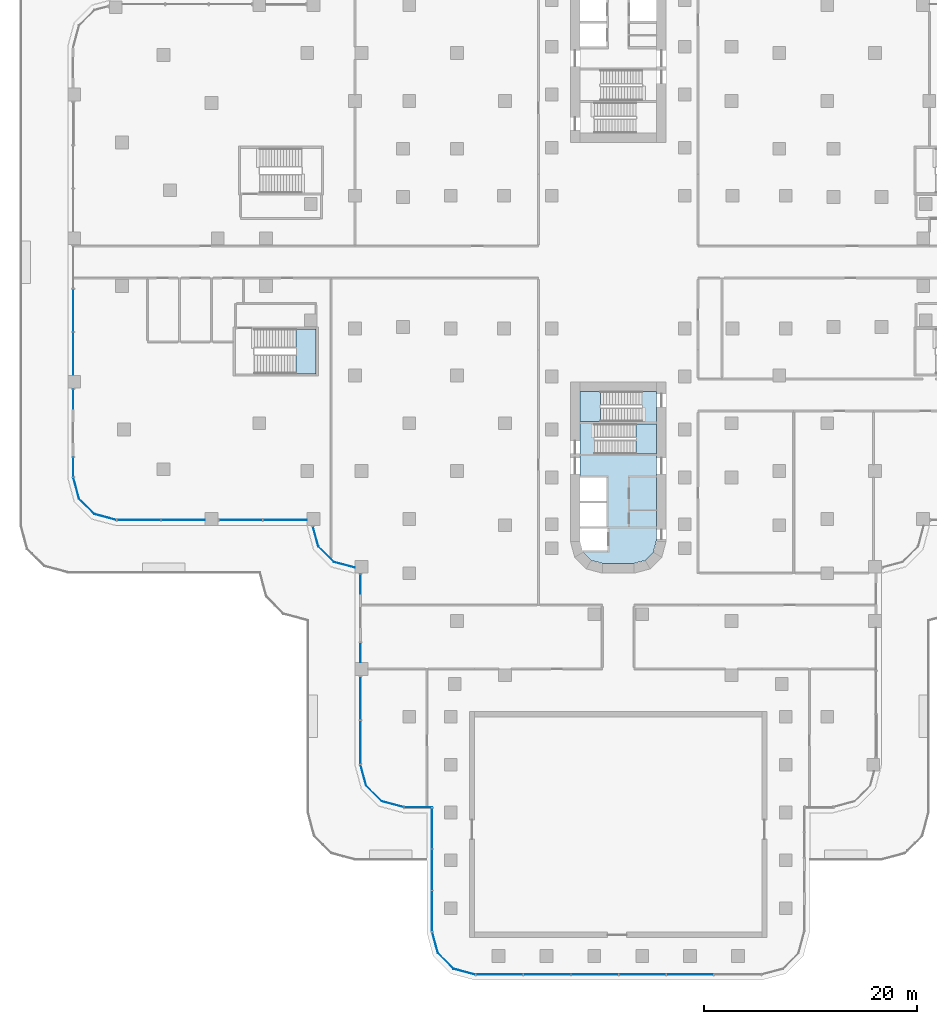
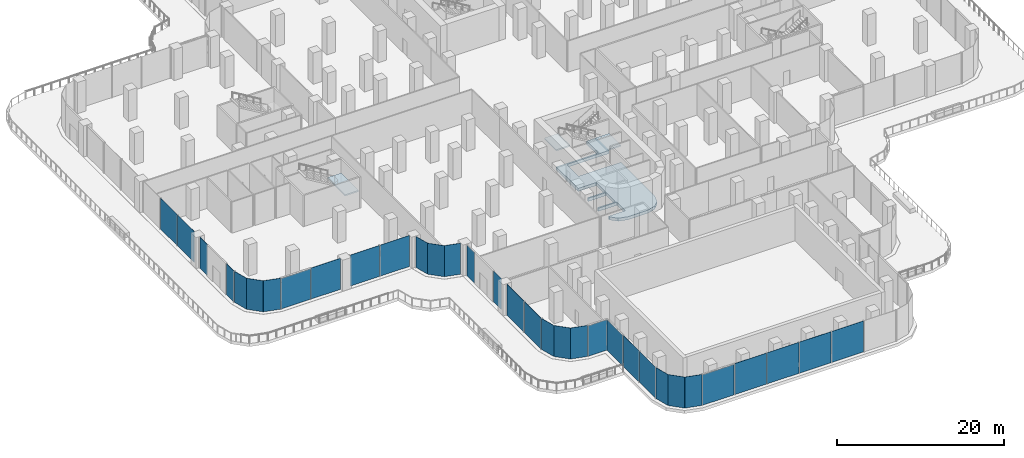
# One storey, part 10 of 30: 33 plates, 4 slabs, 21 elements without a shape of their own.
"""IFC4 building model written with IfcOpenShell, lengths in metres."""

from ifc_helpers import new_model, si_unit, direction, frame, origin, place, context, subcontext, project, spatial, polyline, outline, extrude, source, transform, mapped, material, layer, layer_set, type_object, element, aggregate, save


model = new_model("IFC4")

# Units and contexts
model_context = context("Model", 3, precision=1e-05, world=origin(), true_north=direction((0.0, 1.0)))
body_context = subcontext(model_context, "Body", "Model", "MODEL_VIEW")
ifc_project = project(units=[si_unit("LENGTHUNIT", "METRE"), si_unit("AREAUNIT", "SQUARE_METRE"), si_unit("VOLUMEUNIT", "CUBIC_METRE"), si_unit("PLANEANGLEUNIT", "RADIAN"), si_unit("MASSUNIT", "GRAM", prefix="KILO")], contexts=[model_context])

# Site, building, storey
site_placement = place(None, origin())
site = spatial("IfcSite", under=ifc_project, at=site_placement, CompositionType="ELEMENT")
building_placement = place(site_placement, origin())
building = spatial("IfcBuilding", under=site, at=building_placement, Name="Zarbagh Exchange Tower", CompositionType="ELEMENT")
storey_placement = place(building_placement, frame((0.0, 0.0, 7.0)))
storey = spatial("IfcBuildingStorey", under=building, at=storey_placement, Name="L01", CompositionType="ELEMENT", Elevation=7.0)

# Slab
ifc_material_1 = material(Name="Concrete C50/60", Category="concrete")
ifc_layer_1 = layer(ifc_material_1, 0.449951171875)
ifc_layer_set_1 = layer_set([ifc_layer_1], Name="Core floor slab 450 C50/60")
slab_type_1 = type_object("IfcSlabType", Name="Core floor slab 450 C50/60", PredefinedType="FLOOR", material=ifc_layer_set_1)
slab_1_placement = place(storey_placement, frame((0.0, 0.0, -0.449951171875)))
element("IfcSlab", 1, at=slab_1_placement, inside=storey, type_object=slab_type_1, Name="S16 core S", PredefinedType="FLOOR", context=body_context, shape_type="SweptSolid", body=[
    extrude(outline(polyline([(-2.5341796875, -28.041259765625), (-3.291259765625, -27.2841796875), (-3.340576171875, -27.10009765625), (-1.0, -27.10009765625), (-1.0, -25.050048828125), (-3.60009765625, -25.050048828125), (-3.60009765625, -24.85009765625), (-1.10009765625, -24.85009765625), (-1.10009765625, -22.64990234375), (-3.60009765625, -22.64990234375), (-3.60009765625, -22.449951171875), (-1.10009765625, -22.449951171875), (-1.10009765625, -20.25), (-3.60009765625, -20.25), (-3.60009765625, -15.0), (2.25, -15.0), (2.25, -12.14990234375), (3.60009765625, -12.14990234375), (3.60009765625, -15.199951171875), (-2.25, -15.199951171875), (-2.25, -18.050048828125), (3.60009765625, -18.050048828125), (3.60009765625, -26.131591796875), (3.291259765625, -27.2841796875), (2.5341796875, -28.041259765625), (1.381591796875, -28.35009765625), (-1.381591796875, -28.35009765625), (-2.5341796875, -28.041259765625)])), origin(), (0.0, 0.0, 1.0), 0.449951171875),
])

# Stair, slab
ifc_material_2 = material(Name="Concrete C40/50", Category="concrete")
stair_type = type_object("IfcStairType", Name="Exit stair two-flight half-turn", PredefinedType="HALF_TURN_STAIR", material=ifc_material_2)
stair_1_placement = place(storey_placement, origin())
stair_1 = element("IfcStair", 2, at=stair_1_placement, inside=storey, type_object=stair_type, Name="exit stair ST3", PredefinedType="HALF_TURN_STAIR")
ifc_layer_2 = layer(ifc_material_2, 0.199951171875)
ifc_layer_set_2 = layer_set([ifc_layer_2], Name="Stair landing 200 mm")
slab_type_2 = type_object("IfcSlabType", Name="Stair landing 200 mm", PredefinedType="LANDING", material=ifc_layer_set_2)
slab_2_placement = place(storey_placement, frame((0.0, 0.0, 2.300048828125)))
slab_2 = element("IfcSlab", 3, at=slab_2_placement, type_object=slab_type_2, Name="ST3 landing 1", PredefinedType="LANDING", context=body_context, shape_type="SweptSolid", body=[
    extrude(outline(polyline([(1.669921875, -18.050048828125), (3.60009765625, -18.050048828125), (3.60009765625, -15.199951171875), (1.669921875, -15.199951171875), (1.669921875, -18.050048828125)])), origin(), (0.0, 0.0, 1.0), 0.199951171875),
])
aggregate(stair_1, [slab_2])

stair_2_placement = place(storey_placement, origin())
stair_2 = element("IfcStair", 4, at=stair_2_placement, inside=storey, type_object=stair_type, Name="exit stair ST4", PredefinedType="HALF_TURN_STAIR")
slab_3_placement = place(storey_placement, frame((0.0, 0.0, 2.300048828125)))
slab_3 = element("IfcSlab", 5, at=slab_3_placement, type_object=slab_type_2, Name="ST4 landing 1", PredefinedType="LANDING", context=body_context, shape_type="SweptSolid", body=[
    extrude(outline(polyline([(-1.669921875, -12.14990234375), (-3.60009765625, -12.14990234375), (-3.60009765625, -15.0), (-1.669921875, -15.0), (-1.669921875, -12.14990234375)])), origin(), (0.0, 0.0, 1.0), 0.199951171875),
])
aggregate(stair_2, [slab_3])

stair_3_placement = place(storey_placement, origin())
stair_3 = element("IfcStair", 6, at=stair_3_placement, inside=storey, type_object=stair_type, Name="exit stair PS4", PredefinedType="HALF_TURN_STAIR")
slab_4_placement = place(storey_placement, frame((0.0, 0.0, 2.300048828125)))
slab_4 = element("IfcSlab", 7, at=slab_4_placement, type_object=slab_type_2, Name="PS4 landing 1", PredefinedType="LANDING", context=body_context, shape_type="SweptSolid", body=[
    extrude(outline(polyline([(-30.280029296875, -10.5), (-28.39990234375, -10.5), (-28.39990234375, -6.300048828125), (-30.280029296875, -6.300048828125), (-30.280029296875, -10.5)])), origin(), (0.0, 0.0, 1.0), 0.199951171875),
])
aggregate(stair_3, [slab_4])

# Curtain wall, plate
ifc_material_3 = material(Name="Anodised aluminium frame and glazing", Category="aluminium")
curtain_wall_type_1 = type_object("IfcCurtainWallType", Name="CWD Exchange hall wall glazing", PredefinedType="NOTDEFINED", material=ifc_material_3)
curtain_wall_1_placement = place(storey_placement, origin())
curtain_wall_1 = element("IfcCurtainWall", 8, at=curtain_wall_1_placement, inside=storey, type_object=curtain_wall_type_1, Name="CWD06 curtain wall", PredefinedType="NOTDEFINED")
ifc_material_4 = material(Name="Low-e double glazed unit, 6+12+6 mm")
ifc_layer_3 = layer(ifc_material_4, 0.035888671875)
ifc_layer_set_3 = layer_set([ifc_layer_3], Name="PAD Glazing panel, Low-e double glazed unit, 6+12+6 mm")
plate_type_1 = type_object("IfcPlateType", Name="PAD Glazing panel, Low-e double glazed unit, 6+12+6 mm", PredefinedType="CURTAIN_PANEL", material=ifc_layer_set_3)
shared_shape_1 = source(origin(), body_context, "Body", "SweptSolid", [
    extrude(outline(polyline([(0.0, -0.01806640625), (2.049560546875, -0.01806640625), (2.049560546875, 0.01806640625), (0.0, 0.01806640625), (0.0, -0.01806640625)])), origin(), (0.0, 0.0, 1.0), 4.550048828125),
])
placement = place(storey_placement, origin())
plate_1 = element("IfcPlate", 9, at=placement, type_object=plate_type_1, Name="CWD06 glazing panel 1.1", PredefinedType="CURTAIN_PANEL", context=body_context, shape_type="MappedRepresentation", body=[
    mapped(shared_shape_1, transform((-17.479248046875, -63.011474609375, 0.0), x_axis=(0.258824779902, -0.965924289636, 0.0), y_axis=(0.965924289636, 0.258824779902, 0.0), z_axis=(0.0, 0.0, 1.0))),
])
aggregate(curtain_wall_1, [plate_1])

curtain_wall_2_placement = place(storey_placement, origin())
curtain_wall_2 = element("IfcCurtainWall", 10, at=curtain_wall_2_placement, inside=storey, type_object=curtain_wall_type_1, Name="CWD07 curtain wall", PredefinedType="NOTDEFINED")
shared_shape_2 = source(origin(), body_context, "Body", "SweptSolid", [
    extrude(outline(polyline([(0.0, -0.01806640625), (2.061279296875, -0.01806640625), (2.061279296875, 0.01806640625), (0.0, 0.01806640625), (0.0, -0.01806640625)])), origin(), (0.0, 0.0, 1.0), 4.550048828125),
])
plate_2 = element("IfcPlate", 11, at=placement, type_object=plate_type_1, Name="CWD07 glazing panel 1.1", PredefinedType="CURTAIN_PANEL", context=body_context, shape_type="MappedRepresentation", body=[
    mapped(shared_shape_2, transform((-16.94873046875, -64.9912109375, 0.0), x_axis=(0.707106781187, -0.707106781187, 0.0), y_axis=(0.707106781187, 0.707106781187, 0.0), z_axis=(0.0, 0.0, 1.0))),
])
aggregate(curtain_wall_2, [plate_2])

curtain_wall_3_placement = place(storey_placement, origin())
curtain_wall_3 = element("IfcCurtainWall", 12, at=curtain_wall_3_placement, inside=storey, type_object=curtain_wall_type_1, Name="CWD08 curtain wall", PredefinedType="NOTDEFINED")
shared_shape_3 = source(origin(), body_context, "Body", "SweptSolid", [
    extrude(outline(polyline([(0.0, -0.01806640625), (2.129638671875, -0.01806640625), (2.129638671875, 0.01806640625), (0.0, 0.01806640625), (0.0, -0.01806640625)])), origin(), (0.0, 0.0, 1.0), 4.550048828125),
])
plate_3 = element("IfcPlate", 13, at=placement, type_object=plate_type_1, Name="CWD08 glazing panel 1.1", PredefinedType="CURTAIN_PANEL", context=body_context, shape_type="MappedRepresentation", body=[
    mapped(shared_shape_3, transform((-15.4912109375, -66.44873046875, 0.0), x_axis=(0.965924289636, -0.258824779902, 0.0), y_axis=(0.258824779902, 0.965924289636, 0.0), z_axis=(0.0, 0.0, 1.0))),
])
aggregate(curtain_wall_3, [plate_3])

curtain_wall_type_2 = type_object("IfcCurtainWallType", Name="CWC Podium garden-wall glazing", PredefinedType="NOTDEFINED", material=ifc_material_3)
curtain_wall_4_placement = place(storey_placement, origin())
curtain_wall_4 = element("IfcCurtainWall", 14, at=curtain_wall_4_placement, inside=storey, type_object=curtain_wall_type_2, Name="CWC98 curtain wall", PredefinedType="NOTDEFINED")
ifc_layer_4 = layer(ifc_material_4, 0.031982421875)
ifc_layer_set_4 = layer_set([ifc_layer_4], Name="PAC Glazing panel, Low-e double glazed unit, 6+12+6 mm")
plate_type_2 = type_object("IfcPlateType", Name="PAC Glazing panel, Low-e double glazed unit, 6+12+6 mm", PredefinedType="CURTAIN_PANEL", material=ifc_layer_set_4)
shared_shape_4 = source(origin(), body_context, "Body", "SweptSolid", [
    extrude(outline(polyline([(0.0, -0.01611328125), (2.604248046875, -0.01611328125), (2.604248046875, 0.01611328125), (0.0, 0.01611328125), (0.0, -0.01611328125)])), origin(), (0.0, 0.0, 1.0), 4.469970703125),
])
plate_4 = element("IfcPlate", 15, at=placement, type_object=plate_type_2, Name="CWC98 glazing panel 1.1", PredefinedType="CURTAIN_PANEL", context=body_context, shape_type="MappedRepresentation", body=[
    mapped(shared_shape_4, transform((-20.104248046875, -51.25, 0.0), x_axis=(1.0, 0.0, 0.0), y_axis=(0.0, 1.0, 0.0), z_axis=(0.0, 0.0, 1.0))),
])
aggregate(curtain_wall_4, [plate_4])

curtain_wall_5_placement = place(storey_placement, origin())
curtain_wall_5 = element("IfcCurtainWall", 16, at=curtain_wall_5_placement, inside=storey, type_object=curtain_wall_type_2, Name="CWC87 curtain wall", PredefinedType="NOTDEFINED")
shared_shape_5 = source(origin(), body_context, "Body", "SweptSolid", [
    extrude(outline(polyline([(0.0, -0.01611328125), (2.049560546875, -0.01611328125), (2.049560546875, 0.01611328125), (0.0, 0.01611328125), (0.0, -0.01611328125)])), origin(), (0.0, 0.0, 1.0), 4.550048828125),
])
plate_5 = element("IfcPlate", 17, at=placement, type_object=plate_type_2, Name="CWC87 glazing panel 1.1", PredefinedType="CURTAIN_PANEL", context=body_context, shape_type="MappedRepresentation", body=[
    mapped(shared_shape_5, transform((-51.229248046875, -20.261474609375, 0.0), x_axis=(0.258824779902, -0.965924289636, 0.0), y_axis=(0.965924289636, 0.258824779902, 0.0), z_axis=(0.0, 0.0, 1.0))),
])
aggregate(curtain_wall_5, [plate_5])

curtain_wall_6_placement = place(storey_placement, origin())
curtain_wall_6 = element("IfcCurtainWall", 18, at=curtain_wall_6_placement, inside=storey, type_object=curtain_wall_type_2, Name="CWC95 curtain wall", PredefinedType="NOTDEFINED")
plate_6 = element("IfcPlate", 19, at=placement, type_object=plate_type_2, Name="CWC95 glazing panel 1.1", PredefinedType="CURTAIN_PANEL", context=body_context, shape_type="MappedRepresentation", body=[
    mapped(shared_shape_5, transform((-24.229248046875, -47.261474609375, 0.0), x_axis=(0.258824779902, -0.965924289636, 0.0), y_axis=(0.965924289636, 0.258824779902, 0.0), z_axis=(0.0, 0.0, 1.0))),
])
aggregate(curtain_wall_6, [plate_6])

curtain_wall_7_placement = place(storey_placement, origin())
curtain_wall_7 = element("IfcCurtainWall", 20, at=curtain_wall_7_placement, inside=storey, type_object=curtain_wall_type_2, Name="CWC88 curtain wall", PredefinedType="NOTDEFINED")
shared_shape_6 = source(origin(), body_context, "Body", "SweptSolid", [
    extrude(outline(polyline([(0.0, -0.01611328125), (2.061279296875, -0.01611328125), (2.061279296875, 0.01611328125), (0.0, 0.01611328125), (0.0, -0.01611328125)])), origin(), (0.0, 0.0, 1.0), 4.550048828125),
])
plate_7 = element("IfcPlate", 21, at=placement, type_object=plate_type_2, Name="CWC88 glazing panel 1.1", PredefinedType="CURTAIN_PANEL", context=body_context, shape_type="MappedRepresentation", body=[
    mapped(shared_shape_6, transform((-50.69873046875, -22.2412109375, 0.0), x_axis=(0.707106781187, -0.707106781187, 0.0), y_axis=(0.707106781187, 0.707106781187, 0.0), z_axis=(0.0, 0.0, 1.0))),
])
aggregate(curtain_wall_7, [plate_7])

curtain_wall_8_placement = place(storey_placement, origin())
curtain_wall_8 = element("IfcCurtainWall", 22, at=curtain_wall_8_placement, inside=storey, type_object=curtain_wall_type_2, Name="CWC92 curtain wall", PredefinedType="NOTDEFINED")
plate_8 = element("IfcPlate", 23, at=placement, type_object=plate_type_2, Name="CWC92 glazing panel 1.1", PredefinedType="CURTAIN_PANEL", context=body_context, shape_type="MappedRepresentation", body=[
    mapped(shared_shape_6, transform((-28.19873046875, -26.7412109375, 0.0), x_axis=(0.707106781187, -0.707106781187, 0.0), y_axis=(0.707106781187, 0.707106781187, 0.0), z_axis=(0.0, 0.0, 1.0))),
])
aggregate(curtain_wall_8, [plate_8])

curtain_wall_9_placement = place(storey_placement, origin())
curtain_wall_9 = element("IfcCurtainWall", 24, at=curtain_wall_9_placement, inside=storey, type_object=curtain_wall_type_2, Name="CWC96 curtain wall", PredefinedType="NOTDEFINED")
plate_9 = element("IfcPlate", 25, at=placement, type_object=plate_type_2, Name="CWC96 glazing panel 1.1", PredefinedType="CURTAIN_PANEL", context=body_context, shape_type="MappedRepresentation", body=[
    mapped(shared_shape_6, transform((-23.69873046875, -49.2412109375, 0.0), x_axis=(0.707106781187, -0.707106781187, 0.0), y_axis=(0.707106781187, 0.707106781187, 0.0), z_axis=(0.0, 0.0, 1.0))),
])
aggregate(curtain_wall_9, [plate_9])

# Curtain wall, plates
curtain_wall_10_placement = place(storey_placement, origin())
curtain_wall_10 = element("IfcCurtainWall", 26, at=curtain_wall_10_placement, inside=storey, type_object=curtain_wall_type_2, Name="CWC86 curtain wall", PredefinedType="NOTDEFINED")
shared_shape_7 = source(origin(), body_context, "Body", "SweptSolid", [
    extrude(outline(polyline([(0.0, -0.01611328125), (3.993408203125, -0.01611328125), (3.993408203125, 0.01611328125), (0.0, 0.01611328125), (0.0, -0.01611328125)])), origin(), (0.0, 0.0, 1.0), 4.550048828125),
])
plate_10 = element("IfcPlate", 27, at=placement, type_object=plate_type_2, Name="CWC86 glazing panel 2.2", PredefinedType="CURTAIN_PANEL", context=body_context, shape_type="MappedRepresentation", body=[
    mapped(shared_shape_7, transform((-51.25, -2.54345703125, 0.0), x_axis=(0.0, -1.0, 0.0), y_axis=(1.0, 0.0, 0.0), z_axis=(0.0, 0.0, 1.0))),
])
plate_11 = element("IfcPlate", 28, at=placement, type_object=plate_type_2, Name="CWC86 glazing panel 2.3", PredefinedType="CURTAIN_PANEL", context=body_context, shape_type="MappedRepresentation", body=[
    mapped(shared_shape_7, transform((-51.25, -6.61669921875, 0.0), x_axis=(0.0, -1.0, 0.0), y_axis=(1.0, 0.0, 0.0), z_axis=(0.0, 0.0, 1.0))),
])

# Curtain wall, plate
curtain_wall_11_placement = place(storey_placement, origin())
curtain_wall_11 = element("IfcCurtainWall", 29, at=curtain_wall_11_placement, inside=storey, type_object=curtain_wall_type_2, Name="CWC91 curtain wall", PredefinedType="NOTDEFINED")
shared_shape_8 = source(origin(), body_context, "Body", "SweptSolid", [
    extrude(outline(polyline([(0.0, -0.01611328125), (1.93994140625, -0.01611328125), (1.93994140625, 0.01611328125), (0.0, 0.01611328125), (0.0, -0.01611328125)])), origin(), (0.0, 0.0, 1.0), 4.550048828125),
])
plate_12 = element("IfcPlate", 30, at=placement, type_object=plate_type_2, Name="CWC91 glazing panel 1.1", PredefinedType="CURTAIN_PANEL", context=body_context, shape_type="MappedRepresentation", body=[
    mapped(shared_shape_8, transform((-28.700927734375, -24.867431640625, 0.0), x_axis=(0.258824779902, -0.965924289636, 0.0), y_axis=(0.965924289636, 0.258824779902, 0.0), z_axis=(0.0, 0.0, 1.0))),
])
aggregate(curtain_wall_11, [plate_12])

curtain_wall_12_placement = place(storey_placement, origin())
curtain_wall_12 = element("IfcCurtainWall", 31, at=curtain_wall_12_placement, inside=storey, type_object=curtain_wall_type_2, Name="CWC93 curtain wall", PredefinedType="NOTDEFINED")
shared_shape_9 = source(origin(), body_context, "Body", "SweptSolid", [
    extrude(outline(polyline([(0.0, -0.01611328125), (2.02001953125, -0.01611328125), (2.02001953125, 0.01611328125), (0.0, 0.01611328125), (0.0, -0.01611328125)])), origin(), (0.0, 0.0, 1.0), 4.550048828125),
])
plate_13 = element("IfcPlate", 32, at=placement, type_object=plate_type_2, Name="CWC93 glazing panel 1.1", PredefinedType="CURTAIN_PANEL", context=body_context, shape_type="MappedRepresentation", body=[
    mapped(shared_shape_9, transform((-26.7412109375, -28.19873046875, 0.0), x_axis=(0.965924289636, -0.258824779902, 0.0), y_axis=(0.258824779902, 0.965924289636, 0.0), z_axis=(0.0, 0.0, 1.0))),
])
aggregate(curtain_wall_12, [plate_13])

curtain_wall_13_placement = place(storey_placement, origin())
curtain_wall_13 = element("IfcCurtainWall", 33, at=curtain_wall_13_placement, inside=storey, type_object=curtain_wall_type_2, Name="CWC89 curtain wall", PredefinedType="NOTDEFINED")
shared_shape_10 = source(origin(), body_context, "Body", "SweptSolid", [
    extrude(outline(polyline([(0.0, -0.01611328125), (2.129638671875, -0.01611328125), (2.129638671875, 0.01611328125), (0.0, 0.01611328125), (0.0, -0.01611328125)])), origin(), (0.0, 0.0, 1.0), 4.550048828125),
])
plate_14 = element("IfcPlate", 34, at=placement, type_object=plate_type_2, Name="CWC89 glazing panel 1.1", PredefinedType="CURTAIN_PANEL", context=body_context, shape_type="MappedRepresentation", body=[
    mapped(shared_shape_10, transform((-49.2412109375, -23.69873046875, 0.0), x_axis=(0.965924289636, -0.258824779902, 0.0), y_axis=(0.258824779902, 0.965924289636, 0.0), z_axis=(0.0, 0.0, 1.0))),
])
aggregate(curtain_wall_13, [plate_14])

curtain_wall_14_placement = place(storey_placement, origin())
curtain_wall_14 = element("IfcCurtainWall", 35, at=curtain_wall_14_placement, inside=storey, type_object=curtain_wall_type_2, Name="CWC97 curtain wall", PredefinedType="NOTDEFINED")
plate_15 = element("IfcPlate", 36, at=placement, type_object=plate_type_2, Name="CWC97 glazing panel 1.1", PredefinedType="CURTAIN_PANEL", context=body_context, shape_type="MappedRepresentation", body=[
    mapped(shared_shape_10, transform((-22.2412109375, -50.69873046875, 0.0), x_axis=(0.965924289636, -0.258824779902, 0.0), y_axis=(0.258824779902, 0.965924289636, 0.0), z_axis=(0.0, 0.0, 1.0))),
])
aggregate(curtain_wall_14, [plate_15])

# Curtain wall, plates
curtain_wall_15_placement = place(storey_placement, origin())
curtain_wall_15 = element("IfcCurtainWall", 37, at=curtain_wall_15_placement, inside=storey, type_object=curtain_wall_type_2, Name="CWC90 curtain wall", PredefinedType="NOTDEFINED")
shared_shape_11 = source(origin(), body_context, "Body", "SweptSolid", [
    extrude(outline(polyline([(0.0, -0.01611328125), (4.080078125, -0.01611328125), (4.080078125, 0.01611328125), (0.0, 0.01611328125), (0.0, -0.01611328125)])), origin(), (0.0, 0.0, 1.0), 4.550048828125),
])
plate_16 = element("IfcPlate", 38, at=placement, type_object=plate_type_2, Name="CWC90 glazing panel 2.1", PredefinedType="CURTAIN_PANEL", context=body_context, shape_type="MappedRepresentation", body=[
    mapped(shared_shape_11, transform((-37.530029296875, -24.25, 0.0), x_axis=(1.0, 0.0, 0.0), y_axis=(0.0, 1.0, 0.0), z_axis=(0.0, 0.0, 1.0))),
])
plate_17 = element("IfcPlate", 39, at=placement, type_object=plate_type_2, Name="CWC90 glazing panel 2.2", PredefinedType="CURTAIN_PANEL", context=body_context, shape_type="MappedRepresentation", body=[
    mapped(shared_shape_11, transform((-33.369873046875, -24.25, 0.0), x_axis=(1.0, 0.0, 0.0), y_axis=(0.0, 1.0, 0.0), z_axis=(0.0, 0.0, 1.0))),
])

# Plate
shared_shape_12 = source(origin(), body_context, "Body", "SweptSolid", [
    extrude(outline(polyline([(0.0, -0.01611328125), (1.817138671875, -0.01611328125), (1.817138671875, 0.01611328125), (0.0, 0.01611328125), (0.0, -0.01611328125)])), origin(), (0.0, 0.0, 1.0), 4.550048828125),
])
plate_18 = element("IfcPlate", 40, at=placement, type_object=plate_type_2, Name="CWC86 glazing panel 3.1", PredefinedType="CURTAIN_PANEL", context=body_context, shape_type="MappedRepresentation", body=[
    mapped(shared_shape_12, transform((-51.25, -11.969970703125, 0.0), x_axis=(0.0, -1.0, 0.0), y_axis=(1.0, 0.0, 0.0), z_axis=(0.0, 0.0, 1.0))),
])

plate_19 = element("IfcPlate", 41, at=placement, type_object=plate_type_2, Name="CWC86 glazing panel 4.1", PredefinedType="CURTAIN_PANEL", context=body_context, shape_type="MappedRepresentation", body=[
    mapped(shared_shape_12, transform((-51.25, -18.3671875, 0.0), x_axis=(0.0, -1.0, 0.0), y_axis=(1.0, 0.0, 0.0), z_axis=(0.0, 0.0, 1.0))),
])

aggregate(curtain_wall_10, [plate_10, plate_11, plate_18, plate_19])

shared_shape_13 = source(origin(), body_context, "Body", "SweptSolid", [
    extrude(outline(polyline([(0.0, -0.01611328125), (4.067138671875, -0.01611328125), (4.067138671875, 0.01611328125), (0.0, 0.01611328125), (0.0, -0.01611328125)])), origin(), (0.0, 0.0, 1.0), 4.469970703125),
])
plate_20 = element("IfcPlate", 42, at=placement, type_object=plate_type_2, Name="CWC90 glazing panel 1.1", PredefinedType="CURTAIN_PANEL", context=body_context, shape_type="MappedRepresentation", body=[
    mapped(shared_shape_13, transform((-47.104248046875, -24.25, 0.0), x_axis=(1.0, 0.0, 0.0), y_axis=(0.0, 1.0, 0.0), z_axis=(0.0, 0.0, 1.0))),
])

shared_shape_14 = source(origin(), body_context, "Body", "SweptSolid", [
    extrude(outline(polyline([(0.0, -0.01611328125), (4.067138671875, -0.01611328125), (4.067138671875, 0.01611328125), (0.0, 0.01611328125), (0.0, -0.01611328125)])), origin(), (0.0, 0.0, 1.0), 4.550048828125),
])
plate_21 = element("IfcPlate", 43, at=placement, type_object=plate_type_2, Name="CWC90 glazing panel 1.2", PredefinedType="CURTAIN_PANEL", context=body_context, shape_type="MappedRepresentation", body=[
    mapped(shared_shape_14, transform((-42.95703125, -24.25, 0.0), x_axis=(1.0, 0.0, 0.0), y_axis=(0.0, 1.0, 0.0), z_axis=(0.0, 0.0, 1.0))),
])

aggregate(curtain_wall_15, [plate_20, plate_21, plate_16, plate_17])

# Curtain wall, plates
curtain_wall_16_placement = place(storey_placement, origin())
curtain_wall_16 = element("IfcCurtainWall", 44, at=curtain_wall_16_placement, inside=storey, type_object=curtain_wall_type_2, Name="CWC94 curtain wall", PredefinedType="NOTDEFINED")
plate_22 = element("IfcPlate", 45, at=placement, type_object=plate_type_2, Name="CWC94 glazing panel 3.1", PredefinedType="CURTAIN_PANEL", context=body_context, shape_type="MappedRepresentation", body=[
    mapped(shared_shape_14, transform((-24.25, -38.969970703125, 0.0), x_axis=(0.0, -1.0, 0.0), y_axis=(1.0, 0.0, 0.0), z_axis=(0.0, 0.0, 1.0))),
])
plate_23 = element("IfcPlate", 46, at=placement, type_object=plate_type_2, Name="CWC94 glazing panel 3.2", PredefinedType="CURTAIN_PANEL", context=body_context, shape_type="MappedRepresentation", body=[
    mapped(shared_shape_14, transform((-24.25, -43.1171875, 0.0), x_axis=(0.0, -1.0, 0.0), y_axis=(1.0, 0.0, 0.0), z_axis=(0.0, 0.0, 1.0))),
])
shared_shape_15 = source(origin(), body_context, "Body", "SweptSolid", [
    extrude(outline(polyline([(0.0, -0.01611328125), (1.830078125, -0.01611328125), (1.830078125, 0.01611328125), (0.0, 0.01611328125), (0.0, -0.01611328125)])), origin(), (0.0, 0.0, 1.0), 4.469970703125),
])
plate_24 = element("IfcPlate", 47, at=placement, type_object=plate_type_2, Name="CWC94 glazing panel 1.1", PredefinedType="CURTAIN_PANEL", context=body_context, shape_type="MappedRepresentation", body=[
    mapped(shared_shape_15, transform((-24.25, -29.3701171875, 0.0), x_axis=(0.0, -1.0, 0.0), y_axis=(1.0, 0.0, 0.0), z_axis=(0.0, 0.0, 1.0))),
])
shared_shape_16 = source(origin(), body_context, "Body", "SweptSolid", [
    extrude(outline(polyline([(0.0, -0.01611328125), (1.830078125, -0.01611328125), (1.830078125, 0.01611328125), (0.0, 0.01611328125), (0.0, -0.01611328125)])), origin(), (0.0, 0.0, 1.0), 4.550048828125),
])
plate_25 = element("IfcPlate", 48, at=placement, type_object=plate_type_2, Name="CWC94 glazing panel 2.1", PredefinedType="CURTAIN_PANEL", context=body_context, shape_type="MappedRepresentation", body=[
    mapped(shared_shape_16, transform((-24.25, -35.780029296875, 0.0), x_axis=(0.0, -1.0, 0.0), y_axis=(1.0, 0.0, 0.0), z_axis=(0.0, 0.0, 1.0))),
])
aggregate(curtain_wall_16, [plate_24, plate_25, plate_22, plate_23])

curtain_wall_17_placement = place(storey_placement, origin())
curtain_wall_17 = element("IfcCurtainWall", 49, at=curtain_wall_17_placement, inside=storey, type_object=curtain_wall_type_1, Name="CWD11 curtain wall", PredefinedType="NOTDEFINED")
shared_shape_17 = source(origin(), body_context, "Body", "SweptSolid", [
    extrude(outline(polyline([(0.0, -0.01806640625), (3.814697265625, -0.01806640625), (3.814697265625, 0.01806640625), (0.0, 0.01806640625), (0.0, -0.01806640625)])), origin(), (0.0, 0.0, 1.0), 4.469970703125),
])
plate_26 = element("IfcPlate", 50, at=placement, type_object=plate_type_1, Name="CWD11 glazing panel 1.1", PredefinedType="CURTAIN_PANEL", context=body_context, shape_type="MappedRepresentation", body=[
    mapped(shared_shape_17, transform((-17.5, -51.330078125, 0.0), x_axis=(0.0, -1.0, 0.0), y_axis=(1.0, 0.0, 0.0), z_axis=(0.0, 0.0, 1.0))),
])
shared_shape_18 = source(origin(), body_context, "Body", "SweptSolid", [
    extrude(outline(polyline([(0.0, -0.01806640625), (3.814697265625, -0.01806640625), (3.814697265625, 0.01806640625), (0.0, 0.01806640625), (0.0, -0.01806640625)])), origin(), (0.0, 0.0, 1.0), 4.550048828125),
])
plate_27 = element("IfcPlate", 51, at=placement, type_object=plate_type_1, Name="CWD11 glazing panel 1.2", PredefinedType="CURTAIN_PANEL", context=body_context, shape_type="MappedRepresentation", body=[
    mapped(shared_shape_18, transform((-17.5, -55.224853515625, 0.0), x_axis=(0.0, -1.0, 0.0), y_axis=(1.0, 0.0, 0.0), z_axis=(0.0, 0.0, 1.0))),
])
plate_28 = element("IfcPlate", 52, at=placement, type_object=plate_type_1, Name="CWD11 glazing panel 1.3", PredefinedType="CURTAIN_PANEL", context=body_context, shape_type="MappedRepresentation", body=[
    mapped(shared_shape_18, transform((-17.5, -59.119384765625, 0.0), x_axis=(0.0, -1.0, 0.0), y_axis=(1.0, 0.0, 0.0), z_axis=(0.0, 0.0, 1.0))),
])
aggregate(curtain_wall_17, [plate_26, plate_27, plate_28])

curtain_wall_18_placement = place(storey_placement, origin())
curtain_wall_18 = element("IfcCurtainWall", 53, at=curtain_wall_18_placement, inside=storey, type_object=curtain_wall_type_1, Name="CWD09 curtain wall", PredefinedType="NOTDEFINED")
shared_shape_19 = source(origin(), body_context, "Body", "SweptSolid", [
    extrude(outline(polyline([(0.0, -0.01806640625), (4.39794921875, -0.01806640625), (4.39794921875, 0.01806640625), (0.0, 0.01806640625), (0.0, -0.01806640625)])), origin(), (0.0, 0.0, 1.0), 4.469970703125),
])
plate_29 = element("IfcPlate", 54, at=placement, type_object=plate_type_1, Name="CWD09 glazing panel 1.1", PredefinedType="CURTAIN_PANEL", context=body_context, shape_type="MappedRepresentation", body=[
    mapped(shared_shape_19, transform((-13.354248046875, -67.0, 0.0), x_axis=(1.0, 0.0, 0.0), y_axis=(0.0, 1.0, 0.0), z_axis=(0.0, 0.0, 1.0))),
])
shared_shape_20 = source(origin(), body_context, "Body", "SweptSolid", [
    extrude(outline(polyline([(0.0, -0.01806640625), (4.39794921875, -0.01806640625), (4.39794921875, 0.01806640625), (0.0, 0.01806640625), (0.0, -0.01806640625)])), origin(), (0.0, 0.0, 1.0), 4.550048828125),
])
plate_30 = element("IfcPlate", 55, at=placement, type_object=plate_type_1, Name="CWD09 glazing panel 1.2", PredefinedType="CURTAIN_PANEL", context=body_context, shape_type="MappedRepresentation", body=[
    mapped(shared_shape_20, transform((-8.876220703125, -67.0, 0.0), x_axis=(1.0, 0.0, 0.0), y_axis=(0.0, 1.0, 0.0), z_axis=(0.0, 0.0, 1.0))),
])
plate_31 = element("IfcPlate", 56, at=placement, type_object=plate_type_1, Name="CWD09 glazing panel 1.3", PredefinedType="CURTAIN_PANEL", context=body_context, shape_type="MappedRepresentation", body=[
    mapped(shared_shape_20, transform((-4.398193359375, -67.0, 0.0), x_axis=(1.0, 0.0, 0.0), y_axis=(0.0, 1.0, 0.0), z_axis=(0.0, 0.0, 1.0))),
])
plate_32 = element("IfcPlate", 57, at=placement, type_object=plate_type_1, Name="CWD09 glazing panel 1.4", PredefinedType="CURTAIN_PANEL", context=body_context, shape_type="MappedRepresentation", body=[
    mapped(shared_shape_20, transform((0.080078125, -67.0, 0.0), x_axis=(1.0, 0.0, 0.0), y_axis=(0.0, 1.0, 0.0), z_axis=(0.0, 0.0, 1.0))),
])
plate_33 = element("IfcPlate", 58, at=placement, type_object=plate_type_1, Name="CWD09 glazing panel 1.5", PredefinedType="CURTAIN_PANEL", context=body_context, shape_type="MappedRepresentation", body=[
    mapped(shared_shape_20, transform((4.55810546875, -67.0, 0.0), x_axis=(1.0, 0.0, 0.0), y_axis=(0.0, 1.0, 0.0), z_axis=(0.0, 0.0, 1.0))),
])
aggregate(curtain_wall_18, [plate_29, plate_30, plate_31, plate_32, plate_33])

save(model, "model.ifc")
